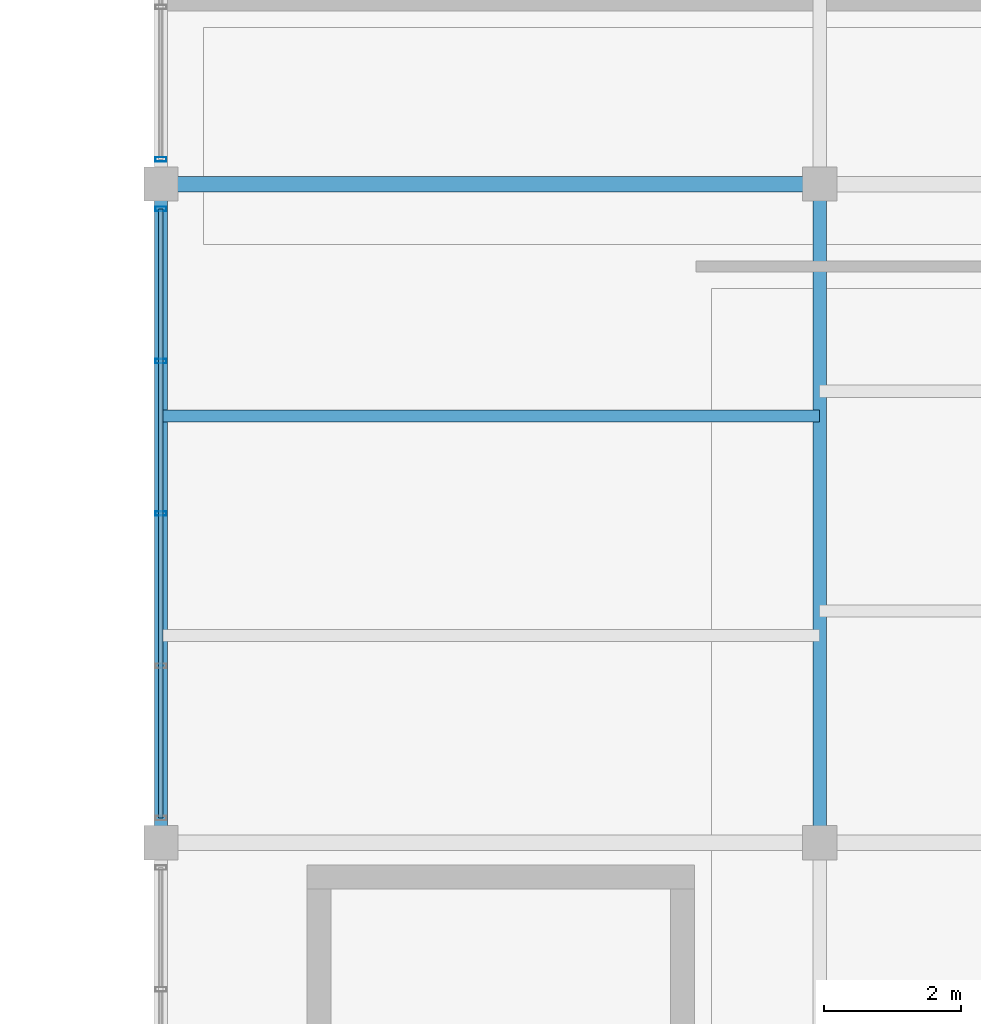
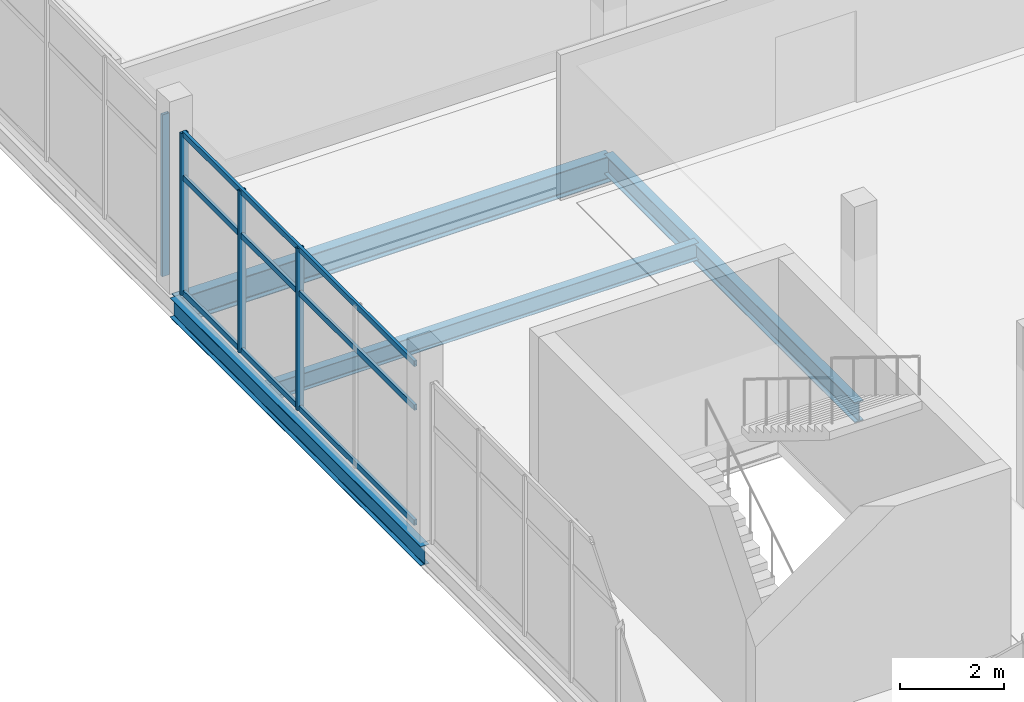
# One storey, part 52 of 114: 7 members, 4 beams, 2 elements without a shape of their own.
"""IFC4 building model written with IfcOpenShell, lengths in metres."""

from ifc_helpers import new_model, si_unit, direction, frame, origin, origin_2d, place, context, subcontext, project, spatial, hollow_rectangle, i_section, extrude, material, layer, layer_set, material_profile, profile_set, type_object, element, aggregate, save


model = new_model("IFC4")

# Units and contexts
model_context = context("Model", 3, precision=1e-05, world=origin(), true_north=direction((0.0, 1.0)))
body_context = subcontext(model_context, "Body", "Model", "MODEL_VIEW")
ifc_project = project(units=[si_unit("LENGTHUNIT", "METRE"), si_unit("AREAUNIT", "SQUARE_METRE"), si_unit("VOLUMEUNIT", "CUBIC_METRE"), si_unit("PLANEANGLEUNIT", "RADIAN"), si_unit("MASSUNIT", "GRAM", prefix="KILO")], contexts=[model_context])

# Site, building, storey
site_placement = place(None, origin())
site = spatial("IfcSite", under=ifc_project, at=site_placement, CompositionType="ELEMENT")
building_placement = place(site_placement, origin())
building = spatial("IfcBuilding", under=site, at=building_placement, Name="Chalmorin Arch Market", CompositionType="ELEMENT")
storey_placement = place(building_placement, frame((0.0, 0.0, 9.60009765625)))
storey = spatial("IfcBuildingStorey", under=building, at=storey_placement, Name="L02", CompositionType="ELEMENT", Elevation=9.60009765625)

# Curtain wall, members
ifc_material_1 = material(Name="Aluminium 6063-T6", Category="aluminium")
ifc_layer = layer(ifc_material_1, 0.159912109375)
ifc_layer_set = layer_set([ifc_layer], Name="Aluminium 6063-T6")
curtain_wall_type = type_object("IfcCurtainWallType", Name="CulinaryStudioCurtainWall-CW3-8880x3790", PredefinedType="NOTDEFINED", material=ifc_layer_set)
curtain_wall_1_placement = place(storey_placement, origin())
curtain_wall_1 = element("IfcCurtainWall", 1, at=curtain_wall_1_placement, inside=storey, type_object=curtain_wall_type, Name="CW-03-111", PredefinedType="NOTDEFINED")
ifc_material_profile_1 = material_profile(ifc_material_1, hollow_rectangle(XDim=0.06494140625, YDim=0.159912109375, WallThickness=0.00390625, at=origin_2d()), Name="ALU65X160X4")
ifc_profile_set_1 = profile_set([ifc_material_profile_1], Name="Aluminium 6063-T6")
member_type_1 = type_object("IfcMemberType", Name="CurtainWallMullion-65x160", PredefinedType="MULLION", material=ifc_profile_set_1)
member_1_placement = place(storey_placement, frame((48.0, 86.39990234375, 0.0), z_axis=(0.0, 0.0, 1.0), x_axis=(0.0, 1.0, 0.0)))
member_1 = element("IfcMember", 2, at=member_1_placement, type_object=member_type_1, Name="ML-111-03", PredefinedType="MULLION", context=body_context, shape_type="SweptSolid", body=[
    extrude(hollow_rectangle(XDim=0.06494140625, YDim=0.159912109375, WallThickness=0.00390625, at=origin_2d()), origin(), (0.0, 0.0, 1.0), 3.785888671875),
])
member_2_placement = place(storey_placement, frame((48.0, 88.6201171875, 0.0), z_axis=(0.0, 0.0, 1.0), x_axis=(0.0, 1.0, 0.0)))
member_2 = element("IfcMember", 3, at=member_2_placement, type_object=member_type_1, Name="ML-111-04", PredefinedType="MULLION", context=body_context, shape_type="SweptSolid", body=[
    extrude(hollow_rectangle(XDim=0.06494140625, YDim=0.159912109375, WallThickness=0.00390625, at=origin_2d()), origin(), (0.0, 0.0, 1.0), 3.785888671875),
])
member_3_placement = place(storey_placement, frame((48.0, 90.840087890625, 0.0), z_axis=(0.0, 0.0, 1.0), x_axis=(0.0, 1.0, 0.0)))
member_3 = element("IfcMember", 4, at=member_3_placement, type_object=member_type_1, Name="ML-111-05", PredefinedType="MULLION", context=body_context, shape_type="SweptSolid", body=[
    extrude(hollow_rectangle(XDim=0.06494140625, YDim=0.159912109375, WallThickness=0.00390625, at=origin_2d()), origin(), (0.0, 0.0, 1.0), 3.785888671875),
])

# Curtain wall, member
curtain_wall_2_placement = place(storey_placement, origin())
curtain_wall_2 = element("IfcCurtainWall", 5, at=curtain_wall_2_placement, inside=storey, type_object=curtain_wall_type, Name="CW-03-113", PredefinedType="NOTDEFINED")
member_4_placement = place(storey_placement, frame((48.0, 91.56005859375, 0.0), z_axis=(0.0, 0.0, 1.0), x_axis=(0.0, 1.0, 0.0)))
member_4 = element("IfcMember", 6, at=member_4_placement, type_object=member_type_1, Name="ML-113-01", PredefinedType="MULLION", context=body_context, shape_type="SweptSolid", body=[
    extrude(hollow_rectangle(XDim=0.06494140625, YDim=0.159912109375, WallThickness=0.00390625, at=origin_2d()), origin(), (0.0, 0.0, 1.0), 3.785888671875),
])
aggregate(curtain_wall_2, [member_4])

# Member
ifc_material_profile_2 = material_profile(ifc_material_1, hollow_rectangle(XDim=0.06494140625, YDim=0.1298828125, WallThickness=0.00390625, at=origin_2d()), Name="ALU65X130X4")
ifc_profile_set_2 = profile_set([ifc_material_profile_2], Name="Aluminium 6063-T6")
member_type_2 = type_object("IfcMemberType", Name="CurtainWallTransom-65x130", PredefinedType="USERDEFINED", material=ifc_profile_set_2)
member_5_placement = place(storey_placement, frame((48.0, 81.9599609375, 0.034912109375), z_axis=(0.0, 1.0, 0.0), x_axis=(-1.0, 0.0, 0.0)))
member_5 = element("IfcMember", 7, at=member_5_placement, type_object=member_type_2, Name="TR-111-01", ObjectType="TRANSOM", PredefinedType="USERDEFINED", context=body_context, shape_type="SweptSolid", body=[
    extrude(hollow_rectangle(XDim=0.06494140625, YDim=0.1298828125, WallThickness=0.00390625, at=origin_2d()), origin(), (0.0, 0.0, 1.0), 8.880126953125),
])

member_6_placement = place(storey_placement, frame((48.0, 81.9599609375, 2.725830078125), z_axis=(0.0, 1.0, 0.0), x_axis=(-1.0, 0.0, 0.0)))
member_6 = element("IfcMember", 8, at=member_6_placement, type_object=member_type_2, Name="TR-111-02", ObjectType="TRANSOM", PredefinedType="USERDEFINED", context=body_context, shape_type="SweptSolid", body=[
    extrude(hollow_rectangle(XDim=0.06494140625, YDim=0.1298828125, WallThickness=0.00390625, at=origin_2d()), origin(), (0.0, 0.0, 1.0), 8.880126953125),
])

member_7_placement = place(storey_placement, frame((48.0, 81.9599609375, 3.7509765625), z_axis=(0.0, 1.0, 0.0), x_axis=(-1.0, 0.0, 0.0)))
member_7 = element("IfcMember", 9, at=member_7_placement, type_object=member_type_2, Name="TR-111-03", ObjectType="TRANSOM", PredefinedType="USERDEFINED", context=body_context, shape_type="SweptSolid", body=[
    extrude(hollow_rectangle(XDim=0.06494140625, YDim=0.1298828125, WallThickness=0.00390625, at=origin_2d()), origin(), (0.0, 0.0, 1.0), 8.880126953125),
])

aggregate(curtain_wall_1, [member_1, member_2, member_3, member_5, member_6, member_7])

# Beams
ifc_material_2 = material(Name="Steel A992 Grade 50", Category="steel")
ifc_material_profile_3 = material_profile(ifc_material_2, i_section(OverallWidth=0.193115234375, OverallDepth=0.466064453125, WebThickness=0.011474609375, FlangeThickness=0.01904296875, FilletRadius=0.02001953125, at=origin_2d()), Name="W18X65")
ifc_profile_set_3 = profile_set([ifc_material_profile_3], Name="Steel A992 Grade 50")
beam_type_1 = type_object("IfcBeamType", Name="FloorSteelBeam-W18X65", PredefinedType="BEAM", material=ifc_profile_set_3)
beam_1_placement = place(storey_placement, frame((57.60009765625, 81.60009765625, -0.51513671875), z_axis=(0.0, 1.0, 0.0), x_axis=(-1.0, 0.0, 0.0)))
element("IfcBeam", 10, at=beam_1_placement, inside=storey, type_object=beam_type_1, Name="BM-W18A-1225", PredefinedType="BEAM", context=body_context, shape_type="SweptSolid", body=[
    extrude(i_section(OverallWidth=0.193115234375, OverallDepth=0.466064453125, WebThickness=0.011474609375, FlangeThickness=0.01904296875, FilletRadius=0.02001953125, at=origin_2d()), origin(), (0.0, 0.0, 1.0), 9.599853515625),
])
ifc_material_profile_4 = material_profile(ifc_material_2, i_section(OverallWidth=0.19091796875, OverallDepth=0.45703125, WebThickness=0.009033203125, FlangeThickness=0.014404296875, FilletRadius=0.02001953125, at=origin_2d()), Name="W18X50")
ifc_profile_set_4 = profile_set([ifc_material_profile_4], Name="Steel A992 Grade 50")
beam_type_2 = type_object("IfcBeamType", Name="PerimeterSpandrelBeam-W18X50", PredefinedType="SPANDREL", material=ifc_profile_set_4)
beam_2_placement = place(storey_placement, frame((48.0, 81.60009765625, -0.510498046875), z_axis=(0.0, 1.0, 0.0), x_axis=(-1.0, 0.0, 0.0)))
element("IfcBeam", 11, at=beam_2_placement, inside=storey, type_object=beam_type_2, Name="SP-W18-1224", PredefinedType="SPANDREL", context=body_context, shape_type="SweptSolid", body=[
    extrude(i_section(OverallWidth=0.19091796875, OverallDepth=0.45703125, WebThickness=0.009033203125, FlangeThickness=0.014404296875, FilletRadius=0.02001953125, at=origin_2d()), origin(), (0.0, 0.0, 1.0), 9.599853515625),
])
ifc_material_profile_5 = material_profile(ifc_material_2, i_section(OverallWidth=0.22802734375, OverallDepth=0.60791015625, WebThickness=0.01123046875, FlangeThickness=0.017333984375, FilletRadius=0.02392578125, at=origin_2d()), Name="W24X76")
ifc_profile_set_5 = profile_set([ifc_material_profile_5], Name="Steel A992 Grade 50")
beam_type_3 = type_object("IfcBeamType", Name="PrimarySteelGirder-W24X76", PredefinedType="BEAM", material=ifc_profile_set_5)
beam_3_placement = place(storey_placement, frame((48.0, 91.199951171875, -0.586181640625), z_axis=(1.0, 0.0, 0.0), x_axis=(0.0, 1.0, 0.0)))
element("IfcBeam", 12, at=beam_3_placement, inside=storey, type_object=beam_type_3, Name="BG-W24B-1223", PredefinedType="BEAM", context=body_context, shape_type="SweptSolid", body=[
    extrude(i_section(OverallWidth=0.22802734375, OverallDepth=0.60791015625, WebThickness=0.01123046875, FlangeThickness=0.017333984375, FilletRadius=0.02392578125, at=origin_2d()), origin(), (0.0, 0.0, 1.0), 9.60009765625),
])
ifc_material_profile_6 = material_profile(ifc_material_2, i_section(OverallWidth=0.177978515625, OverallDepth=0.403076171875, WebThickness=0.007568359375, FlangeThickness=0.010986328125, FilletRadius=0.01806640625, at=origin_2d()), Name="W16X36")
ifc_profile_set_6 = profile_set([ifc_material_profile_6], Name="Steel A992 Grade 50")
beam_type_4 = type_object("IfcBeamType", Name="SecondaryFloorJoist-W16X36", PredefinedType="JOIST", material=ifc_profile_set_6)
beam_4_placement = place(storey_placement, frame((48.0, 87.820068359375, -0.483642578125), z_axis=(1.0, 0.0, 0.0), x_axis=(0.0, 1.0, 0.0)))
element("IfcBeam", 13, at=beam_4_placement, inside=storey, type_object=beam_type_4, Name="BJ-W16B-1302", PredefinedType="JOIST", context=body_context, shape_type="SweptSolid", body=[
    extrude(i_section(OverallWidth=0.177978515625, OverallDepth=0.403076171875, WebThickness=0.007568359375, FlangeThickness=0.010986328125, FilletRadius=0.01806640625, at=origin_2d()), origin(), (0.0, 0.0, 1.0), 9.60009765625),
])

save(model, "model.ifc")
